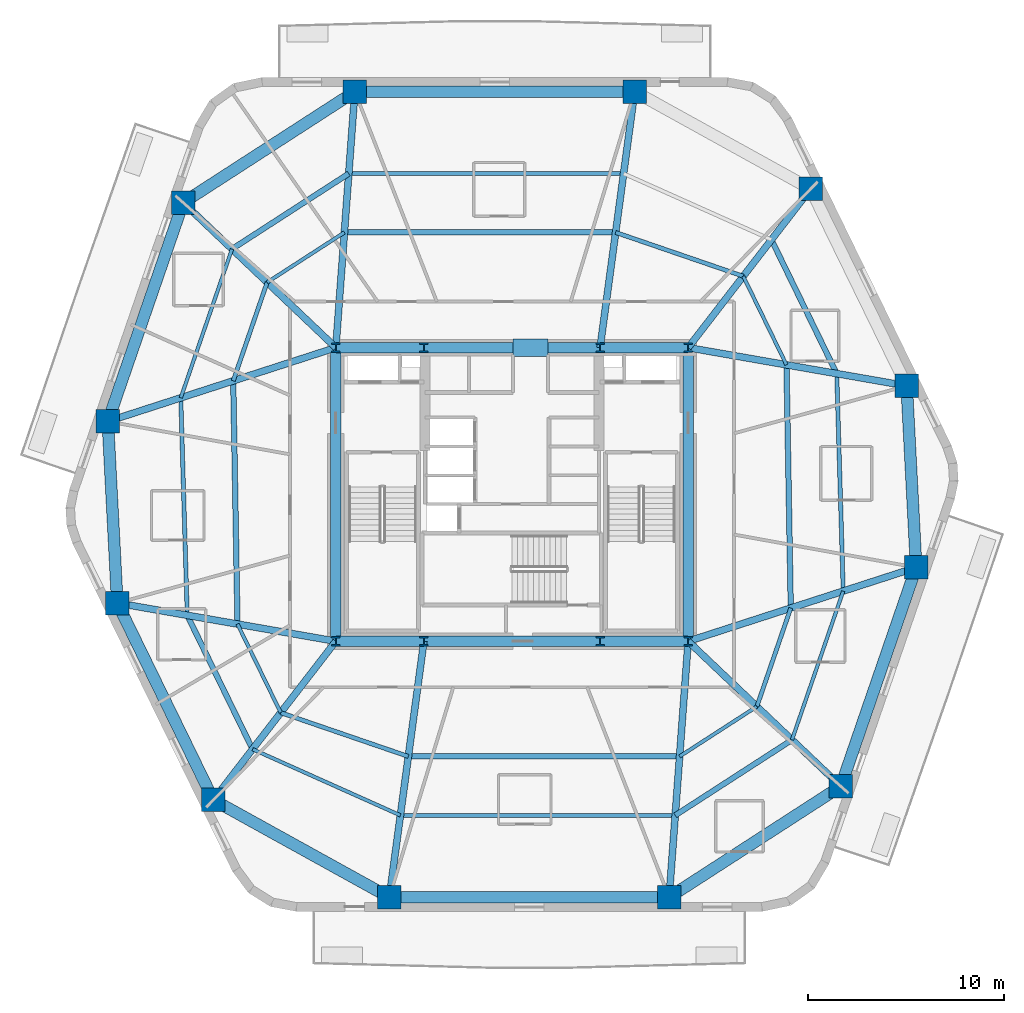
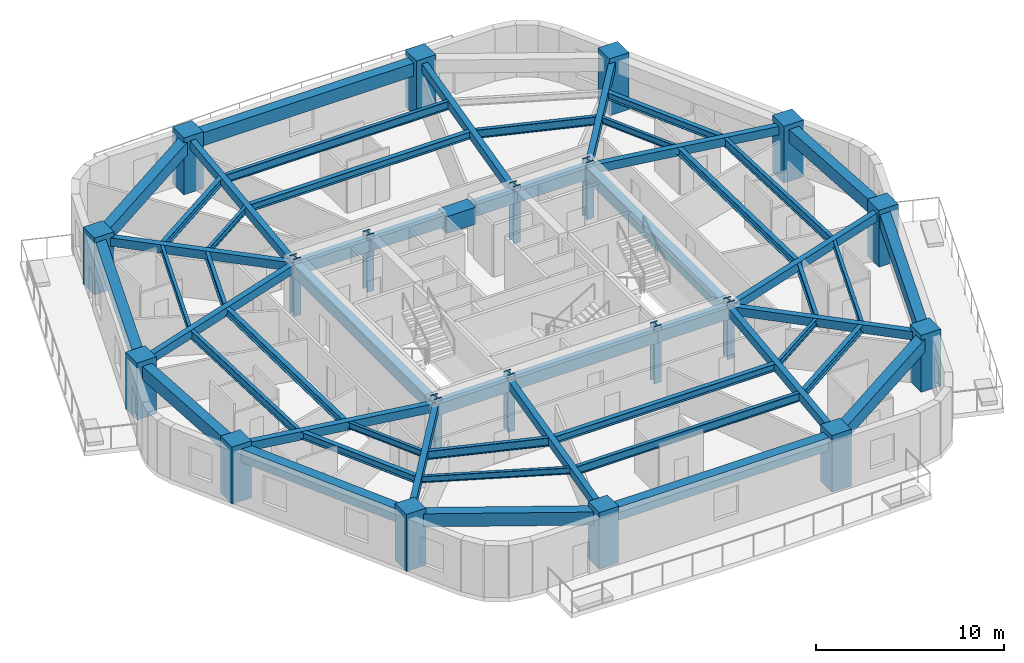
# One storey, part 1 of 8: 54 beams, 20 columns.
"""IFC4 building model written with IfcOpenShell, lengths in metres."""

from ifc_helpers import new_model, si_unit, direction, frame, origin, origin_2d, place, context, subcontext, project, spatial, rectangle, i_section, extrude, material, material_profile, profile_set, type_object, element, save


model = new_model("IFC4")

# Units and contexts
model_context = context("Model", 3, precision=1e-05, world=origin(), true_north=direction((0.0, 1.0)))
body_context = subcontext(model_context, "Body", "Model", "MODEL_VIEW")
ifc_project = project(units=[si_unit("LENGTHUNIT", "METRE"), si_unit("AREAUNIT", "SQUARE_METRE"), si_unit("VOLUMEUNIT", "CUBIC_METRE"), si_unit("PLANEANGLEUNIT", "RADIAN"), si_unit("MASSUNIT", "GRAM", prefix="KILO")], contexts=[model_context])

# Site, building, storey
site_placement = place(None, origin())
site = spatial("IfcSite", under=ifc_project, at=site_placement, CompositionType="ELEMENT")
building_placement = place(site_placement, origin())
building = spatial("IfcBuilding", under=site, at=building_placement, Name="Kilnhurst Terrace Hotel", CompositionType="ELEMENT")
storey_placement = place(building_placement, frame((0.0, 0.0, 135.800048828125)))
storey = spatial("IfcBuildingStorey", under=building, at=storey_placement, Name="L33", CompositionType="ELEMENT", Elevation=135.800048828125)

# Columns
ifc_material_1 = material(Name="Concrete C80/95", Category="concrete")
ifc_material_profile_1 = material_profile(ifc_material_1, rectangle(XDim=1.199951171875, YDim=1.199951171875, at=origin_2d()), Name="RC1200X1200")
ifc_profile_set_1 = profile_set([ifc_material_profile_1], Name="Concrete C80/95")
column_type_1 = type_object("IfcColumnType", Name="COL-RC-1200", PredefinedType="COLUMN", material=ifc_profile_set_1)
for number, where, z_axis, x_axis, name in (
    (1, (-6.26806640625, -20.580078125, 0.0), (0.0, 0.0, 1.0), (1.0, 0.0, 0.0), "L33 Structural Column PC-F11"),
    (2, (8.028076171875, -20.580078125, 0.0), (0.0, 0.0, 1.0), (1.0, 0.0, 0.0), "L33 Structural Column PC-F12"),
    (3, (16.800048828125, -14.910888671875, 0.0), (0.0, 0.0, 1.0), (1.0, 0.0, 0.0), "L33 Structural Column PC-F21"),
    (4, (20.64990234375, -3.73095703125, 0.0), (0.0, 0.0, 1.0), (1.0, 0.0, 0.0), "L33 Structural Column PC-F22"),
    (5, (20.1640625, 5.549072265625, 0.0), (0.0, 0.0, 1.0), (1.0, 0.0, 0.0), "L33 Structural Column PC-F31"),
    (6, (15.257080078125, 15.60888671875, 0.0), (0.0, 0.0, 1.0), (1.0, 0.0, 0.0), "L33 Structural Column PC-F32"),
    (7, (6.26806640625, 20.580078125, 0.0), (0.0, 0.0, 1.0), (1.0, 0.0, 0.0), "L33 Structural Column PC-F41"),
    (8, (-8.028076171875, 20.580078125, 0.0), (0.0, 0.0, 1.0), (1.0, 0.0, 0.0), "L33 Structural Column PC-F42"),
    (9, (-16.800048828125, 14.910888671875, 0.0), (0.0, 0.0, 1.0), (1.0, 0.0, 0.0), "L33 Structural Column PC-F51"),
    (10, (-20.64990234375, 3.73095703125, 0.0), (0.0, 0.0, 1.0), (1.0, 0.0, 0.0), "L33 Structural Column PC-F52"),
    (11, (-20.1640625, -5.549072265625, 0.0), (0.0, 0.0, 1.0), (1.0, 0.0, 0.0), "L33 Structural Column PC-F61"),
    (12, (-15.257080078125, -15.60888671875, 0.0), (0.0, 0.0, 1.0), (1.0, 0.0, 0.0), "L33 Structural Column PC-F62"),
):
    element("IfcColumn", number, at=place(storey_placement, frame(where, z_axis=z_axis, x_axis=x_axis)), inside=storey, type_object=column_type_1, Name=name, PredefinedType="COLUMN", context=body_context, shape_type="SweptSolid", body=[
        extrude(rectangle(XDim=1.199951171875, YDim=1.199951171875, at=origin_2d()), origin(), (0.0, 0.0, 1.0), 3.699951171875),
    ])
ifc_material_2 = material(Name="Steel ASTM A992 Grade 50", Category="steel")
ifc_material_profile_2 = material_profile(ifc_material_2, i_section(OverallWidth=0.43212890625, OverallDepth=0.497802734375, WebThickness=0.0556640625, FlangeThickness=0.0888671875, at=origin_2d()), Name="W14X500")
ifc_profile_set_2 = profile_set([ifc_material_profile_2], Name="Steel ASTM A992 Grade 50")
column_type_2 = type_object("IfcColumnType", Name="COL-STL-W14X500", PredefinedType="COLUMN", material=ifc_profile_set_2)
for number, where, z_axis, x_axis, name in (
    (13, (-9.0, -7.5, 0.0), (0.0, 0.0, 1.0), (1.0, 0.0, 0.0), "L33 Structural Column CC-SW"),
    (14, (-4.5, -7.5, 0.0), (0.0, 0.0, 1.0), (1.0, 0.0, 0.0), "L33 Structural Column CC-SC1"),
    (15, (4.5, -7.5, 0.0), (0.0, 0.0, 1.0), (1.0, 0.0, 0.0), "L33 Structural Column CC-SC2"),
    (16, (9.0, -7.5, 0.0), (0.0, 0.0, 1.0), (1.0, 0.0, 0.0), "L33 Structural Column CC-SE"),
    (17, (9.0, 7.5, 0.0), (0.0, 0.0, 1.0), (1.0, 0.0, 0.0), "L33 Structural Column CC-NE"),
    (18, (4.5, 7.5, 0.0), (0.0, 0.0, 1.0), (1.0, 0.0, 0.0), "L33 Structural Column CC-NC2"),
    (19, (-4.5, 7.5, 0.0), (0.0, 0.0, 1.0), (1.0, 0.0, 0.0), "L33 Structural Column CC-NC1"),
    (20, (-9.0, 7.5, 0.0), (0.0, 0.0, 1.0), (1.0, 0.0, 0.0), "L33 Structural Column CC-NW"),
):
    element("IfcColumn", number, at=place(storey_placement, frame(where, z_axis=z_axis, x_axis=x_axis)), inside=storey, type_object=column_type_2, Name=name, PredefinedType="COLUMN", context=body_context, shape_type="SweptSolid", body=[
        extrude(i_section(OverallWidth=0.43212890625, OverallDepth=0.497802734375, WebThickness=0.0556640625, FlangeThickness=0.0888671875, at=origin_2d()), origin(), (0.0, 0.0, 1.0), 3.699951171875),
    ])

# Beams
ifc_material_3 = material(Name="Concrete C50/60", Category="concrete")
ifc_material_profile_3 = material_profile(ifc_material_3, rectangle(XDim=0.35009765625, YDim=0.550048828125, at=origin_2d()), Name="RC350X550")
ifc_profile_set_3 = profile_set([ifc_material_profile_3], Name="Concrete C50/60")
beam_type_1 = type_object("IfcBeamType", Name="BM-RAD-350X550", PredefinedType="BEAM", material=ifc_profile_set_3)
beam_1_placement = place(storey_placement, frame((-4.5, -7.5, 3.10498046875), z_axis=(-0.133954226177, -0.990987520249, 0.0), x_axis=(0.990987520249, -0.133954226177, 0.0)))
element("IfcBeam", 21, at=beam_1_placement, inside=storey, type_object=beam_type_1, Name="L33 Radial Floor Beam 1", PredefinedType="BEAM", context=body_context, shape_type="SweptSolid", body=[
    extrude(rectangle(XDim=0.35009765625, YDim=0.550048828125, at=origin_2d()), origin(), (0.0, 0.0, 1.0), 13.198974609375),
])
beam_2_placement = place(storey_placement, frame((9.0, -7.5, 3.10498046875), z_axis=(-0.074101371747, -0.997250714066, 0.0), x_axis=(0.997250714066, -0.074101371747, 0.0)))
element("IfcBeam", 22, at=beam_2_placement, inside=storey, type_object=beam_type_1, Name="L33 Radial Floor Beam 2", PredefinedType="BEAM", context=body_context, shape_type="SweptSolid", body=[
    extrude(rectangle(XDim=0.35009765625, YDim=0.550048828125, at=origin_2d()), origin(), (0.0, 0.0, 1.0), 13.1162109375),
])
beam_3_placement = place(storey_placement, frame((9.0, -7.5, 3.10498046875), z_axis=(0.724960341586, -0.688790609059, 0.0), x_axis=(0.688790609059, 0.724960341586, 0.0)))
element("IfcBeam", 23, at=beam_3_placement, inside=storey, type_object=beam_type_1, Name="L33 Radial Floor Beam 3", PredefinedType="BEAM", context=body_context, shape_type="SweptSolid", body=[
    extrude(rectangle(XDim=0.35009765625, YDim=0.550048828125, at=origin_2d()), origin(), (0.0, 0.0, 1.0), 10.75927734375),
])
beam_4_placement = place(storey_placement, frame((9.0, -7.5, 3.10498046875), z_axis=(0.951445549065, 0.307817100182, 0.0), x_axis=(-0.307817100182, 0.951445549065, 0.0)))
element("IfcBeam", 24, at=beam_4_placement, inside=storey, type_object=beam_type_1, Name="L33 Radial Floor Beam 4", PredefinedType="BEAM", context=body_context, shape_type="SweptSolid", body=[
    extrude(rectangle(XDim=0.35009765625, YDim=0.550048828125, at=origin_2d()), origin(), (0.0, 0.0, 1.0), 12.244384765625),
])
beam_5_placement = place(storey_placement, frame((9.0, 7.5, 3.10498046875), z_axis=(0.985072137567, -0.172142045384, 0.0), x_axis=(0.172142045384, 0.985072137567, 0.0)))
element("IfcBeam", 25, at=beam_5_placement, inside=storey, type_object=beam_type_1, Name="L33 Radial Floor Beam 5", PredefinedType="BEAM", context=body_context, shape_type="SweptSolid", body=[
    extrude(rectangle(XDim=0.35009765625, YDim=0.550048828125, at=origin_2d()), origin(), (0.0, 0.0, 1.0), 11.333251953125),
])
beam_6_placement = place(storey_placement, frame((9.0, 7.5, 3.10498046875), z_axis=(0.610904638371, 0.79170418896, 0.0), x_axis=(-0.79170418896, 0.610904638371, 0.0)))
element("IfcBeam", 26, at=beam_6_placement, inside=storey, type_object=beam_type_1, Name="L33 Radial Floor Beam 6", PredefinedType="BEAM", context=body_context, shape_type="SweptSolid", body=[
    extrude(rectangle(XDim=0.35009765625, YDim=0.550048828125, at=origin_2d()), origin(), (0.0, 0.0, 1.0), 10.242431640625),
])
beam_7_placement = place(storey_placement, frame((4.5, 7.5, 3.10498046875), z_axis=(0.133954226177, 0.990987520249, 0.0), x_axis=(-0.990987520249, 0.133954226177, 0.0)))
element("IfcBeam", 27, at=beam_7_placement, inside=storey, type_object=beam_type_1, Name="L33 Radial Floor Beam 7", PredefinedType="BEAM", context=body_context, shape_type="SweptSolid", body=[
    extrude(rectangle(XDim=0.35009765625, YDim=0.550048828125, at=origin_2d()), origin(), (0.0, 0.0, 1.0), 13.198974609375),
])
beam_8_placement = place(storey_placement, frame((-9.0, 7.5, 3.10498046875), z_axis=(0.074101371747, 0.997250714066, 0.0), x_axis=(-0.997250714066, 0.074101371747, 0.0)))
element("IfcBeam", 28, at=beam_8_placement, inside=storey, type_object=beam_type_1, Name="L33 Radial Floor Beam 8", PredefinedType="BEAM", context=body_context, shape_type="SweptSolid", body=[
    extrude(rectangle(XDim=0.35009765625, YDim=0.550048828125, at=origin_2d()), origin(), (0.0, 0.0, 1.0), 13.1162109375),
])
beam_9_placement = place(storey_placement, frame((-9.0, 7.5, 3.10498046875), z_axis=(-0.724960341586, 0.688790609059, 0.0), x_axis=(-0.688790609059, -0.724960341586, 0.0)))
element("IfcBeam", 29, at=beam_9_placement, inside=storey, type_object=beam_type_1, Name="L33 Radial Floor Beam 9", PredefinedType="BEAM", context=body_context, shape_type="SweptSolid", body=[
    extrude(rectangle(XDim=0.35009765625, YDim=0.550048828125, at=origin_2d()), origin(), (0.0, 0.0, 1.0), 10.75927734375),
])
beam_10_placement = place(storey_placement, frame((-9.0, 7.5, 3.10498046875), z_axis=(-0.951445549065, -0.307817100182, 0.0), x_axis=(0.307817100182, -0.951445549065, 0.0)))
element("IfcBeam", 30, at=beam_10_placement, inside=storey, type_object=beam_type_1, Name="L33 Radial Floor Beam 10", PredefinedType="BEAM", context=body_context, shape_type="SweptSolid", body=[
    extrude(rectangle(XDim=0.35009765625, YDim=0.550048828125, at=origin_2d()), origin(), (0.0, 0.0, 1.0), 12.244384765625),
])
beam_11_placement = place(storey_placement, frame((-9.0, -7.5, 3.10498046875), z_axis=(-0.985072137567, 0.172142045384, 0.0), x_axis=(-0.172142045384, -0.985072137567, 0.0)))
element("IfcBeam", 31, at=beam_11_placement, inside=storey, type_object=beam_type_1, Name="L33 Radial Floor Beam 11", PredefinedType="BEAM", context=body_context, shape_type="SweptSolid", body=[
    extrude(rectangle(XDim=0.35009765625, YDim=0.550048828125, at=origin_2d()), origin(), (0.0, 0.0, 1.0), 11.333251953125),
])
beam_12_placement = place(storey_placement, frame((-9.0, -7.5, 3.10498046875), z_axis=(-0.610904638371, -0.79170418896, 0.0), x_axis=(0.79170418896, -0.610904638371, 0.0)))
element("IfcBeam", 32, at=beam_12_placement, inside=storey, type_object=beam_type_1, Name="L33 Radial Floor Beam 12", PredefinedType="BEAM", context=body_context, shape_type="SweptSolid", body=[
    extrude(rectangle(XDim=0.35009765625, YDim=0.550048828125, at=origin_2d()), origin(), (0.0, 0.0, 1.0), 10.242431640625),
])
ifc_material_profile_4 = material_profile(ifc_material_3, rectangle(XDim=0.550048828125, YDim=0.75, at=origin_2d()), Name="RC550X750")
ifc_profile_set_4 = profile_set([ifc_material_profile_4], Name="Concrete C50/60")
beam_type_2 = type_object("IfcBeamType", Name="BM-SPN-550X750", PredefinedType="SPANDREL", material=ifc_profile_set_4)
beam_13_placement = place(storey_placement, frame((-9.0, 7.5, 3.0048828125), z_axis=(1.0, 0.0, 0.0), x_axis=(0.0, 1.0, 0.0)))
element("IfcBeam", 33, at=beam_13_placement, inside=storey, type_object=beam_type_2, Name="L33 Core Tie Beam CC-NW to CC-NC1", PredefinedType="SPANDREL", context=body_context, shape_type="SweptSolid", body=[
    extrude(rectangle(XDim=0.550048828125, YDim=0.75, at=origin_2d()), origin(), (0.0, 0.0, 1.0), 4.5),
])
beam_14_placement = place(storey_placement, frame((-4.5, 7.5, 3.0048828125), z_axis=(1.0, 0.0, 0.0), x_axis=(0.0, 1.0, 0.0)))
element("IfcBeam", 34, at=beam_14_placement, inside=storey, type_object=beam_type_2, Name="L33 Core Tie Beam CC-NC1 to CC-NC2", PredefinedType="SPANDREL", context=body_context, shape_type="SweptSolid", body=[
    extrude(rectangle(XDim=0.550048828125, YDim=0.75, at=origin_2d()), origin(), (0.0, 0.0, 1.0), 9.0),
])
for number, where, z_axis, x_axis, name in (
    (35, (4.5, 7.5, 3.0048828125), (1.0, 0.0, 0.0), (0.0, 1.0, 0.0), "L33 Core Tie Beam CC-NC2 to CC-NE"),
    (36, (-9.0, -7.5, 3.0048828125), (1.0, 0.0, 0.0), (0.0, 1.0, 0.0), "L33 Core Tie Beam CC-SW to CC-SC1"),
):
    element("IfcBeam", number, at=place(storey_placement, frame(where, z_axis=z_axis, x_axis=x_axis)), inside=storey, type_object=beam_type_2, Name=name, PredefinedType="SPANDREL", context=body_context, shape_type="SweptSolid", body=[
        extrude(rectangle(XDim=0.550048828125, YDim=0.75, at=origin_2d()), origin(), (0.0, 0.0, 1.0), 4.5),
    ])
beam_15_placement = place(storey_placement, frame((-4.5, -7.5, 3.0048828125), z_axis=(1.0, 0.0, 0.0), x_axis=(0.0, 1.0, 0.0)))
element("IfcBeam", 37, at=beam_15_placement, inside=storey, type_object=beam_type_2, Name="L33 Core Tie Beam CC-SC1 to CC-SC2", PredefinedType="SPANDREL", context=body_context, shape_type="SweptSolid", body=[
    extrude(rectangle(XDim=0.550048828125, YDim=0.75, at=origin_2d()), origin(), (0.0, 0.0, 1.0), 9.0),
])
beam_16_placement = place(storey_placement, frame((4.5, -7.5, 3.0048828125), z_axis=(1.0, 0.0, 0.0), x_axis=(0.0, 1.0, 0.0)))
element("IfcBeam", 38, at=beam_16_placement, inside=storey, type_object=beam_type_2, Name="L33 Core Tie Beam CC-SC2 to CC-SE", PredefinedType="SPANDREL", context=body_context, shape_type="SweptSolid", body=[
    extrude(rectangle(XDim=0.550048828125, YDim=0.75, at=origin_2d()), origin(), (0.0, 0.0, 1.0), 4.5),
])
for number, where, z_axis, x_axis, name in (
    (39, (-9.0, -7.5, 3.0048828125), (0.0, 1.0, 0.0), (-1.0, 0.0, 0.0), "L33 Core Tie Beam CC-SW to CC-NW"),
    (40, (9.0, -7.5, 3.0048828125), (0.0, 1.0, 0.0), (-1.0, 0.0, 0.0), "L33 Core Tie Beam CC-SE to CC-NE"),
):
    element("IfcBeam", number, at=place(storey_placement, frame(where, z_axis=z_axis, x_axis=x_axis)), inside=storey, type_object=beam_type_2, Name=name, PredefinedType="SPANDREL", context=body_context, shape_type="SweptSolid", body=[
        extrude(rectangle(XDim=0.550048828125, YDim=0.75, at=origin_2d()), origin(), (0.0, 0.0, 1.0), 15.0),
    ])
ifc_material_profile_5 = material_profile(ifc_material_3, rectangle(XDim=0.60009765625, YDim=0.85009765625, at=origin_2d()), Name="RC600X850")
ifc_profile_set_5 = profile_set([ifc_material_profile_5], Name="Concrete C50/60")
beam_type_3 = type_object("IfcBeamType", Name="BM-SPN-600X850", PredefinedType="SPANDREL", material=ifc_profile_set_5)
beam_17_placement = place(storey_placement, frame((-6.26806640625, -20.580078125, 2.954833984375), z_axis=(1.0, 0.0, 0.0), x_axis=(0.0, 1.0, 0.0)))
element("IfcBeam", 41, at=beam_17_placement, inside=storey, type_object=beam_type_3, Name="L33 Perimeter Spandrel Beam 1", PredefinedType="SPANDREL", context=body_context, shape_type="SweptSolid", body=[
    extrude(rectangle(XDim=0.60009765625, YDim=0.85009765625, at=origin_2d()), origin(), (0.0, 0.0, 1.0), 14.296142578125),
])
beam_18_placement = place(storey_placement, frame((8.028076171875, -20.580078125, 2.954833984375), z_axis=(0.839866667472, 0.542792760517, 0.0), x_axis=(-0.542792760517, 0.839866667472, 0.0)))
element("IfcBeam", 42, at=beam_18_placement, inside=storey, type_object=beam_type_3, Name="L33 Perimeter Spandrel Beam 2", PredefinedType="SPANDREL", context=body_context, shape_type="SweptSolid", body=[
    extrude(rectangle(XDim=0.60009765625, YDim=0.85009765625, at=origin_2d()), origin(), (0.0, 0.0, 1.0), 10.444580078125),
])
beam_19_placement = place(storey_placement, frame((16.800048828125, -14.910888671875, 2.954833984375), z_axis=(0.325590408593, 0.945510912593, 0.0), x_axis=(-0.945510912593, 0.325590408593, 0.0)))
element("IfcBeam", 43, at=beam_19_placement, inside=storey, type_object=beam_type_3, Name="L33 Perimeter Spandrel Beam 3", PredefinedType="SPANDREL", context=body_context, shape_type="SweptSolid", body=[
    extrude(rectangle(XDim=0.60009765625, YDim=0.85009765625, at=origin_2d()), origin(), (0.0, 0.0, 1.0), 11.82421875),
])
beam_20_placement = place(storey_placement, frame((20.64990234375, -3.73095703125, 2.954833984375), z_axis=(-0.052281666706, 0.998632378469, 0.0), x_axis=(-0.998632378469, -0.052281666706, 0.0)))
element("IfcBeam", 44, at=beam_20_placement, inside=storey, type_object=beam_type_3, Name="L33 Perimeter Spandrel Beam 4", PredefinedType="SPANDREL", context=body_context, shape_type="SweptSolid", body=[
    extrude(rectangle(XDim=0.60009765625, YDim=0.85009765625, at=origin_2d()), origin(), (0.0, 0.0, 1.0), 9.292724609375),
])
beam_21_placement = place(storey_placement, frame((6.26806640625, 20.580078125, 2.954833984375), z_axis=(-1.0, 0.0, 0.0), x_axis=(0.0, -1.0, 0.0)))
element("IfcBeam", 45, at=beam_21_placement, inside=storey, type_object=beam_type_3, Name="L33 Perimeter Spandrel Beam 7", PredefinedType="SPANDREL", context=body_context, shape_type="SweptSolid", body=[
    extrude(rectangle(XDim=0.60009765625, YDim=0.85009765625, at=origin_2d()), origin(), (0.0, 0.0, 1.0), 14.296142578125),
])
beam_22_placement = place(storey_placement, frame((-8.028076171875, 20.580078125, 2.954833984375), z_axis=(-0.839866667472, -0.542792760517, 0.0), x_axis=(0.542792760517, -0.839866667472, 0.0)))
element("IfcBeam", 46, at=beam_22_placement, inside=storey, type_object=beam_type_3, Name="L33 Perimeter Spandrel Beam 8", PredefinedType="SPANDREL", context=body_context, shape_type="SweptSolid", body=[
    extrude(rectangle(XDim=0.60009765625, YDim=0.85009765625, at=origin_2d()), origin(), (0.0, 0.0, 1.0), 10.444580078125),
])
beam_23_placement = place(storey_placement, frame((-16.800048828125, 14.910888671875, 2.954833984375), z_axis=(-0.325590408593, -0.945510912593, 0.0), x_axis=(0.945510912593, -0.325590408593, 0.0)))
element("IfcBeam", 47, at=beam_23_placement, inside=storey, type_object=beam_type_3, Name="L33 Perimeter Spandrel Beam 9", PredefinedType="SPANDREL", context=body_context, shape_type="SweptSolid", body=[
    extrude(rectangle(XDim=0.60009765625, YDim=0.85009765625, at=origin_2d()), origin(), (0.0, 0.0, 1.0), 11.82421875),
])
beam_24_placement = place(storey_placement, frame((-20.64990234375, 3.73095703125, 2.954833984375), z_axis=(0.052281666706, -0.998632378469, 0.0), x_axis=(0.998632378469, 0.052281666706, 0.0)))
element("IfcBeam", 48, at=beam_24_placement, inside=storey, type_object=beam_type_3, Name="L33 Perimeter Spandrel Beam 10", PredefinedType="SPANDREL", context=body_context, shape_type="SweptSolid", body=[
    extrude(rectangle(XDim=0.60009765625, YDim=0.85009765625, at=origin_2d()), origin(), (0.0, 0.0, 1.0), 9.292724609375),
])
beam_25_placement = place(storey_placement, frame((-20.1640625, -5.549072265625, 2.954833984375), z_axis=(0.438406012271, -0.89877704043, 0.0), x_axis=(0.89877704043, 0.438406012271, 0.0)))
element("IfcBeam", 49, at=beam_25_placement, inside=storey, type_object=beam_type_3, Name="L33 Perimeter Spandrel Beam 11", PredefinedType="SPANDREL", context=body_context, shape_type="SweptSolid", body=[
    extrude(rectangle(XDim=0.60009765625, YDim=0.85009765625, at=origin_2d()), origin(), (0.0, 0.0, 1.0), 11.19287109375),
])
beam_26_placement = place(storey_placement, frame((-15.257080078125, -15.60888671875, 2.954833984375), z_axis=(0.875094010429, -0.483952965598, 0.0), x_axis=(0.483952965598, 0.875094010429, 0.0)))
element("IfcBeam", 50, at=beam_26_placement, inside=storey, type_object=beam_type_3, Name="L33 Perimeter Spandrel Beam 12", PredefinedType="SPANDREL", context=body_context, shape_type="SweptSolid", body=[
    extrude(rectangle(XDim=0.60009765625, YDim=0.85009765625, at=origin_2d()), origin(), (0.0, 0.0, 1.0), 10.27197265625),
])
ifc_material_profile_6 = material_profile(ifc_material_2, i_section(OverallWidth=0.180908203125, OverallDepth=0.417236328125, WebThickness=0.010986328125, FlangeThickness=0.018310546875, at=origin_2d()), Name="W16X57")
ifc_profile_set_6 = profile_set([ifc_material_profile_6], Name="Steel ASTM A992 Grade 50")
beam_type_4 = type_object("IfcBeamType", Name="JST-STL-W16X57", PredefinedType="JOIST", material=ifc_profile_set_6)
for number, where, z_axis, x_axis, name in (
    (51, (14.303955078125, -12.53955078125, 3.1708984375), (0.325612620381, 0.945503263584, 0.0), (-0.945503263584, 0.325612620381, 0.0), "L33 Secondary Floor Steel Joist OUT.3"),
    (52, (-14.303955078125, 12.53955078125, 3.1708984375), (-0.325612620381, -0.945503263584, 0.0), (0.945503263584, -0.325612620381, 0.0), "L33 Secondary Floor Steel Joist OUT.9"),
):
    element("IfcBeam", number, at=place(storey_placement, frame(where, z_axis=z_axis, x_axis=x_axis)), inside=storey, type_object=beam_type_4, Name=name, PredefinedType="JOIST", context=body_context, shape_type="SweptSolid", body=[
        extrude(i_section(OverallWidth=0.180908203125, OverallDepth=0.417236328125, WebThickness=0.010986328125, FlangeThickness=0.018310546875, at=origin_2d()), origin(), (0.0, 0.0, 1.0), 8.040771484375),
    ])
beam_27_placement = place(storey_placement, frame((-13.2548828125, -13.01416015625, 3.1708984375), z_axis=(0.912760935806, -0.408494154262, 0.0), x_axis=(0.408494154262, 0.912760935806, 0.0)))
element("IfcBeam", 53, at=beam_27_placement, inside=storey, type_object=beam_type_4, Name="L33 Secondary Floor Steel Joist OUT.12", PredefinedType="JOIST", context=body_context, shape_type="SweptSolid", body=[
    extrude(i_section(OverallWidth=0.180908203125, OverallDepth=0.417236328125, WebThickness=0.010986328125, FlangeThickness=0.018310546875, at=origin_2d()), origin(), (0.0, 0.0, 1.0), 8.274658203125),
])
beam_28_placement = place(storey_placement, frame((8.5625, -13.385986328125, 3.1708984375), z_axis=(0.839884974974, 0.542764432155, 0.0), x_axis=(-0.542764432155, 0.839884974974, 0.0)))
element("IfcBeam", 54, at=beam_28_placement, inside=storey, type_object=beam_type_4, Name="L33 Secondary Floor Steel Joist IN.2", PredefinedType="JOIST", context=body_context, shape_type="SweptSolid", body=[
    extrude(i_section(OverallWidth=0.180908203125, OverallDepth=0.417236328125, WebThickness=0.010986328125, FlangeThickness=0.018310546875, at=origin_2d()), origin(), (0.0, 0.0, 1.0), 4.699951171875),
])
beam_29_placement = place(storey_placement, frame((14.023681640625, 6.6220703125, 3.1708984375), z_axis=(-0.438389251087, 0.898785216017, 0.0), x_axis=(-0.898785216017, -0.438389251087, 0.0)))
element("IfcBeam", 55, at=beam_29_placement, inside=storey, type_object=beam_type_4, Name="L33 Secondary Floor Steel Joist IN.5", PredefinedType="JOIST", context=body_context, shape_type="SweptSolid", body=[
    extrude(i_section(OverallWidth=0.180908203125, OverallDepth=0.417236328125, WebThickness=0.010986328125, FlangeThickness=0.018310546875, at=origin_2d()), origin(), (0.0, 0.0, 1.0), 5.03662109375),
])
beam_30_placement = place(storey_placement, frame((-8.5625, 13.385986328125, 3.1708984375), z_axis=(-0.839884974974, -0.542764432155, 0.0), x_axis=(0.542764432155, -0.839884974974, 0.0)))
element("IfcBeam", 56, at=beam_30_placement, inside=storey, type_object=beam_type_4, Name="L33 Secondary Floor Steel Joist IN.8", PredefinedType="JOIST", context=body_context, shape_type="SweptSolid", body=[
    extrude(i_section(OverallWidth=0.180908203125, OverallDepth=0.417236328125, WebThickness=0.010986328125, FlangeThickness=0.018310546875, at=origin_2d()), origin(), (0.0, 0.0, 1.0), 4.699951171875),
])
beam_31_placement = place(storey_placement, frame((-14.023681640625, -6.6220703125, 3.1708984375), z_axis=(0.438389251087, -0.898785216017, 0.0), x_axis=(0.898785216017, 0.438389251087, 0.0)))
element("IfcBeam", 57, at=beam_31_placement, inside=storey, type_object=beam_type_4, Name="L33 Secondary Floor Steel Joist IN.11", PredefinedType="JOIST", context=body_context, shape_type="SweptSolid", body=[
    extrude(i_section(OverallWidth=0.180908203125, OverallDepth=0.417236328125, WebThickness=0.010986328125, FlangeThickness=0.018310546875, at=origin_2d()), origin(), (0.0, 0.0, 1.0), 5.03662109375),
])
ifc_material_profile_7 = material_profile(ifc_material_2, i_section(OverallWidth=0.279296875, OverallDepth=0.462890625, WebThickness=0.0107421875, FlangeThickness=0.017333984375, at=origin_2d()), Name="W18X76")
ifc_profile_set_7 = profile_set([ifc_material_profile_7], Name="Steel ASTM A992 Grade 50")
beam_type_5 = type_object("IfcBeamType", Name="JST-STL-W18X76", PredefinedType="JOIST", material=ifc_profile_set_7)
beam_32_placement = place(storey_placement, frame((8.339111328125, -16.394287109375, 3.14794921875), z_axis=(0.839882675086, 0.542767991034, 0.0), x_axis=(-0.542767991034, 0.839882675086, 0.0)))
element("IfcBeam", 58, at=beam_32_placement, inside=storey, type_object=beam_type_5, Name="L33 Secondary Floor Steel Joist OUT.2", PredefinedType="JOIST", context=body_context, shape_type="SweptSolid", body=[
    extrude(i_section(OverallWidth=0.279296875, OverallDepth=0.462890625, WebThickness=0.0107421875, FlangeThickness=0.017333984375, at=origin_2d()), origin(), (0.0, 0.0, 1.0), 7.10205078125),
])
beam_33_placement = place(storey_placement, frame((16.591552734375, 6.17333984375, 3.14794921875), z_axis=(-0.438390137084, 0.898784783865, 0.0), x_axis=(-0.898784783865, -0.438390137084, 0.0)))
element("IfcBeam", 59, at=beam_33_placement, inside=storey, type_object=beam_type_5, Name="L33 Secondary Floor Steel Joist OUT.5", PredefinedType="JOIST", context=body_context, shape_type="SweptSolid", body=[
    extrude(i_section(OverallWidth=0.279296875, OverallDepth=0.462890625, WebThickness=0.0107421875, FlangeThickness=0.017333984375, at=origin_2d()), origin(), (0.0, 0.0, 1.0), 7.611083984375),
])
beam_34_placement = place(storey_placement, frame((-8.339111328125, 16.394287109375, 3.14794921875), z_axis=(-0.839882675086, -0.542767991034, 0.0), x_axis=(0.542767991034, -0.839882675086, 0.0)))
element("IfcBeam", 60, at=beam_34_placement, inside=storey, type_object=beam_type_5, Name="L33 Secondary Floor Steel Joist OUT.8", PredefinedType="JOIST", context=body_context, shape_type="SweptSolid", body=[
    extrude(i_section(OverallWidth=0.279296875, OverallDepth=0.462890625, WebThickness=0.0107421875, FlangeThickness=0.017333984375, at=origin_2d()), origin(), (0.0, 0.0, 1.0), 7.10205078125),
])
beam_35_placement = place(storey_placement, frame((-16.591552734375, -6.17333984375, 3.14794921875), z_axis=(0.438390137084, -0.898784783865, 0.0), x_axis=(0.898784783865, 0.438390137084, 0.0)))
element("IfcBeam", 61, at=beam_35_placement, inside=storey, type_object=beam_type_5, Name="L33 Secondary Floor Steel Joist OUT.11", PredefinedType="JOIST", context=body_context, shape_type="SweptSolid", body=[
    extrude(i_section(OverallWidth=0.279296875, OverallDepth=0.462890625, WebThickness=0.0107421875, FlangeThickness=0.017333984375, at=origin_2d()), origin(), (0.0, 0.0, 1.0), 7.611083984375),
])
beam_36_placement = place(storey_placement, frame((-5.295654296875, -13.385986328125, 3.14794921875), z_axis=(1.0, 0.0, 0.0), x_axis=(0.0, 1.0, 0.0)))
element("IfcBeam", 62, at=beam_36_placement, inside=storey, type_object=beam_type_5, Name="L33 Secondary Floor Steel Joist IN.1", PredefinedType="JOIST", context=body_context, shape_type="SweptSolid", body=[
    extrude(i_section(OverallWidth=0.279296875, OverallDepth=0.462890625, WebThickness=0.0107421875, FlangeThickness=0.017333984375, at=origin_2d()), origin(), (0.0, 0.0, 1.0), 13.858154296875),
])
beam_37_placement = place(storey_placement, frame((14.242431640625, -5.803955078125, 3.14794921875), z_axis=(-0.017601453796, 0.999845082412, 0.0), x_axis=(-0.999845082412, -0.017601453796, 0.0)))
element("IfcBeam", 63, at=beam_37_placement, inside=storey, type_object=beam_type_5, Name="L33 Secondary Floor Steel Joist IN.4", PredefinedType="JOIST", context=body_context, shape_type="SweptSolid", body=[
    extrude(i_section(OverallWidth=0.279296875, OverallDepth=0.462890625, WebThickness=0.0107421875, FlangeThickness=0.017333984375, at=origin_2d()), origin(), (0.0, 0.0, 1.0), 12.427978515625),
])
beam_38_placement = place(storey_placement, frame((5.295654296875, 13.385986328125, 3.14794921875), z_axis=(-1.0, 0.0, 0.0), x_axis=(0.0, -1.0, 0.0)))
element("IfcBeam", 64, at=beam_38_placement, inside=storey, type_object=beam_type_5, Name="L33 Secondary Floor Steel Joist IN.7", PredefinedType="JOIST", context=body_context, shape_type="SweptSolid", body=[
    extrude(i_section(OverallWidth=0.279296875, OverallDepth=0.462890625, WebThickness=0.0107421875, FlangeThickness=0.017333984375, at=origin_2d()), origin(), (0.0, 0.0, 1.0), 13.858154296875),
])
beam_39_placement = place(storey_placement, frame((-14.242431640625, 5.803955078125, 3.14794921875), z_axis=(0.017601453796, -0.999845082412, 0.0), x_axis=(0.999845082412, 0.017601453796, 0.0)))
element("IfcBeam", 65, at=beam_39_placement, inside=storey, type_object=beam_type_5, Name="L33 Secondary Floor Steel Joist IN.10", PredefinedType="JOIST", context=body_context, shape_type="SweptSolid", body=[
    extrude(i_section(OverallWidth=0.279296875, OverallDepth=0.462890625, WebThickness=0.0107421875, FlangeThickness=0.017333984375, at=origin_2d()), origin(), (0.0, 0.0, 1.0), 12.427978515625),
])
ifc_material_profile_8 = material_profile(ifc_material_2, i_section(OverallWidth=0.2138671875, OverallDepth=0.549072265625, WebThickness=0.0146484375, FlangeThickness=0.023681640625, at=origin_2d()), Name="W21X93")
ifc_profile_set_8 = profile_set([ifc_material_profile_8], Name="Steel ASTM A992 Grade 50")
beam_type_6 = type_object("IfcBeamType", Name="JST-STL-W21X93", PredefinedType="JOIST", material=ifc_profile_set_8)
beam_40_placement = place(storey_placement, frame((-5.7021484375, -16.394287109375, 3.10498046875), z_axis=(1.0, 0.0, 0.0), x_axis=(0.0, 1.0, 0.0)))
element("IfcBeam", 66, at=beam_40_placement, inside=storey, type_object=beam_type_6, Name="L33 Secondary Floor Steel Joist OUT.1", PredefinedType="JOIST", context=body_context, shape_type="SweptSolid", body=[
    extrude(i_section(OverallWidth=0.2138671875, OverallDepth=0.549072265625, WebThickness=0.0146484375, FlangeThickness=0.023681640625, at=origin_2d()), origin(), (0.0, 0.0, 1.0), 14.041259765625),
])
beam_41_placement = place(storey_placement, frame((16.922119140625, -4.93701171875, 3.10498046875), z_axis=(-0.029739849895, 0.999557672837, 0.0), x_axis=(-0.999557672837, -0.029739849895, 0.0)))
element("IfcBeam", 67, at=beam_41_placement, inside=storey, type_object=beam_type_6, Name="L33 Secondary Floor Steel Joist OUT.4", PredefinedType="JOIST", context=body_context, shape_type="SweptSolid", body=[
    extrude(i_section(OverallWidth=0.2138671875, OverallDepth=0.549072265625, WebThickness=0.0146484375, FlangeThickness=0.023681640625, at=origin_2d()), origin(), (0.0, 0.0, 1.0), 11.115234375),
])
beam_42_placement = place(storey_placement, frame((5.7021484375, 16.394287109375, 3.10498046875), z_axis=(-1.0, 0.0, 0.0), x_axis=(0.0, -1.0, 0.0)))
element("IfcBeam", 68, at=beam_42_placement, inside=storey, type_object=beam_type_6, Name="L33 Secondary Floor Steel Joist OUT.7", PredefinedType="JOIST", context=body_context, shape_type="SweptSolid", body=[
    extrude(i_section(OverallWidth=0.2138671875, OverallDepth=0.549072265625, WebThickness=0.0146484375, FlangeThickness=0.023681640625, at=origin_2d()), origin(), (0.0, 0.0, 1.0), 14.041259765625),
])
beam_43_placement = place(storey_placement, frame((-16.922119140625, 4.93701171875, 3.10498046875), z_axis=(0.029739849895, -0.999557672837, 0.0), x_axis=(0.999557672837, 0.029739849895, 0.0)))
element("IfcBeam", 69, at=beam_43_placement, inside=storey, type_object=beam_type_6, Name="L33 Secondary Floor Steel Joist OUT.10", PredefinedType="JOIST", context=body_context, shape_type="SweptSolid", body=[
    extrude(i_section(OverallWidth=0.2138671875, OverallDepth=0.549072265625, WebThickness=0.0146484375, FlangeThickness=0.023681640625, at=origin_2d()), origin(), (0.0, 0.0, 1.0), 11.115234375),
])
beam_44_placement = place(storey_placement, frame((12.510009765625, -10.8349609375, 3.10498046875), z_axis=(0.325586238877, 0.945512348441, 0.0), x_axis=(-0.945512348441, 0.325586238877, 0.0)))
element("IfcBeam", 70, at=beam_44_placement, inside=storey, type_object=beam_type_6, Name="L33 Secondary Floor Steel Joist IN.3", PredefinedType="JOIST", context=body_context, shape_type="SweptSolid", body=[
    extrude(i_section(OverallWidth=0.2138671875, OverallDepth=0.549072265625, WebThickness=0.0146484375, FlangeThickness=0.023681640625, at=origin_2d()), origin(), (0.0, 0.0, 1.0), 5.321044921875),
])
beam_45_placement = place(storey_placement, frame((11.815673828125, 11.14892578125, 3.10498046875), z_axis=(-0.945873585837, 0.324535297949, 0.0), x_axis=(-0.324535297949, -0.945873585837, 0.0)))
element("IfcBeam", 71, at=beam_45_placement, inside=storey, type_object=beam_type_6, Name="L33 Secondary Floor Steel Joist IN.6", PredefinedType="JOIST", context=body_context, shape_type="SweptSolid", body=[
    extrude(i_section(OverallWidth=0.2138671875, OverallDepth=0.549072265625, WebThickness=0.0146484375, FlangeThickness=0.023681640625, at=origin_2d()), origin(), (0.0, 0.0, 1.0), 6.89306640625),
])
beam_46_placement = place(storey_placement, frame((-12.510009765625, 10.8349609375, 3.10498046875), z_axis=(-0.325586238877, -0.945512348441, 0.0), x_axis=(0.945512348441, -0.325586238877, 0.0)))
element("IfcBeam", 72, at=beam_46_placement, inside=storey, type_object=beam_type_6, Name="L33 Secondary Floor Steel Joist IN.9", PredefinedType="JOIST", context=body_context, shape_type="SweptSolid", body=[
    extrude(i_section(OverallWidth=0.2138671875, OverallDepth=0.549072265625, WebThickness=0.0146484375, FlangeThickness=0.023681640625, at=origin_2d()), origin(), (0.0, 0.0, 1.0), 5.321044921875),
])
beam_47_placement = place(storey_placement, frame((-11.815673828125, -11.14892578125, 3.10498046875), z_axis=(0.945873585837, -0.324535297949, 0.0), x_axis=(0.324535297949, 0.945873585837, 0.0)))
element("IfcBeam", 73, at=beam_47_placement, inside=storey, type_object=beam_type_6, Name="L33 Secondary Floor Steel Joist IN.12", PredefinedType="JOIST", context=body_context, shape_type="SweptSolid", body=[
    extrude(i_section(OverallWidth=0.2138671875, OverallDepth=0.549072265625, WebThickness=0.0146484375, FlangeThickness=0.023681640625, at=origin_2d()), origin(), (0.0, 0.0, 1.0), 6.89306640625),
])
ifc_material_profile_9 = material_profile(ifc_material_1, rectangle(XDim=0.89990234375, YDim=1.10009765625, at=origin_2d()), Name="RC900X1100")
ifc_profile_set_9 = profile_set([ifc_material_profile_9], Name="Concrete C80/95")
beam_type_7 = type_object("IfcBeamType", Name="LNT-CB-900X1100", PredefinedType="LINTEL", material=ifc_profile_set_9)
beam_48_placement = place(storey_placement, frame((0.050048828125, 7.5, 2.829833984375), z_axis=(1.0, 0.0, 0.0), x_axis=(0.0, 1.0, 0.0)))
element("IfcBeam", 74, at=beam_48_placement, inside=storey, type_object=beam_type_7, Name="L33 North Core Coupling Link Beam", PredefinedType="LINTEL", context=body_context, shape_type="SweptSolid", body=[
    extrude(rectangle(XDim=0.89990234375, YDim=1.10009765625, at=origin_2d()), origin(), (0.0, 0.0, 1.0), 1.800048828125),
])

save(model, "model.ifc")
